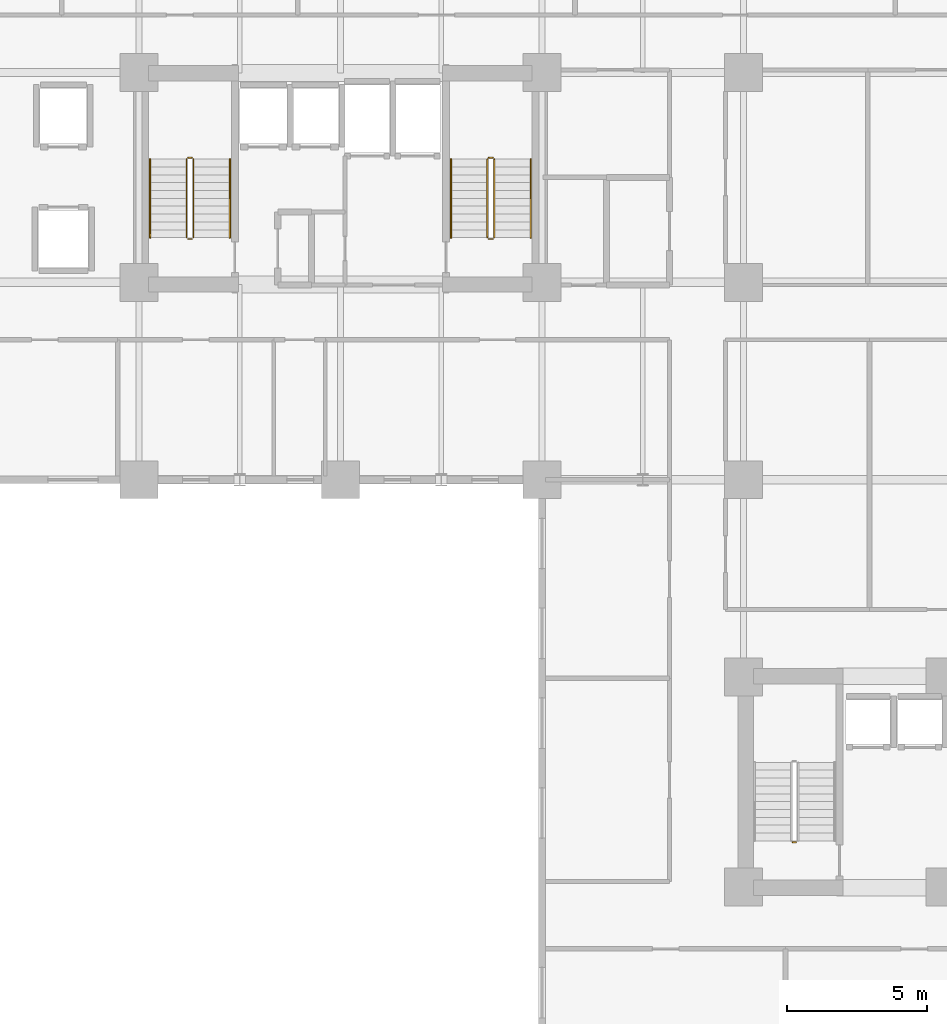
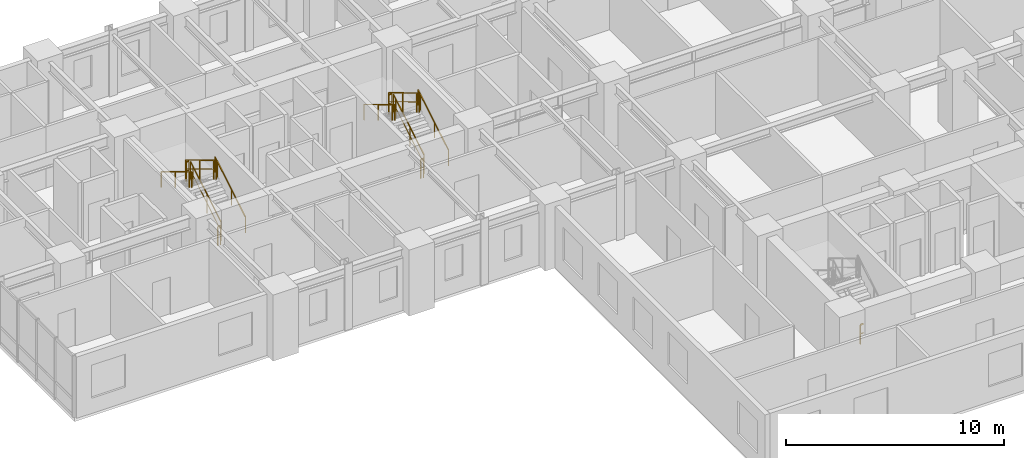
# One storey, part 17 of 19: 13 railings.
"""IFC4 building model written with IfcOpenShell, lengths in metres."""

import ifcopenshell
import ifcopenshell.guid

model = None  # the IFC model being written
_history = None  # IfcOwnerHistory: only IFC2X3 demands one
_inside = {}  # id of a spatial element -> (the spatial element, [elements in it])
_under = {}  # id of a project, library or spatial element -> (it, [spatial elements below it])
_declared = {}  # id of a project -> (the project, [libraries it declares])
_typed = {}  # id of a type object -> (the type object, [elements of that type])
_made_of = {}  # id of a material, layer set ... -> (it, [elements and type objects made of it])


def new_model(schema):
    """Start an empty IFC model of exactly this schema.

    Asked for "IFC4X3", IfcOpenShell would pick the latest addendum, in which some entities
    have other attributes; the version numbers below select the first issue.
    IFC2X3 requires an IfcOwnerHistory on every rooted entity: one is made here for all.
    """
    global model, _history
    if schema == "IFC4X3":
        model = ifcopenshell.file(schema_version=(4, 3, 0, 0))
    else:
        model = ifcopenshell.file(schema=schema)
    _inside.clear()
    _under.clear()
    _declared.clear()
    _typed.clear()
    _made_of.clear()
    _history = None
    if model.schema == "IFC2X3":
        org = make("IfcOrganization", Name="unknown")
        user = make(
            "IfcPersonAndOrganization",
            ThePerson=make("IfcPerson", FamilyName="unknown"),
            TheOrganization=org,
        )
        app = make(
            "IfcApplication",
            ApplicationDeveloper=org,
            Version="unknown",
            ApplicationFullName="unknown",
            ApplicationIdentifier="unknown",
        )
        _history = make(
            "IfcOwnerHistory",
            OwningUser=user,
            OwningApplication=app,
            ChangeAction="ADDED",
            CreationDate=0,
        )
    return model


def make(cls, **values):
    """One entity of the class cls with the attributes given. An attribute that is None is left unset."""
    return model.create_entity(
        cls, **{name: value for name, value in values.items() if value is not None}
    )


def rooted(cls, **values):
    """An entity with a GlobalId (a new one), such as an element, a storey or a relation."""
    return make(cls, GlobalId=ifcopenshell.guid.new(), OwnerHistory=_history, **values)


def si_unit(unit_type, name, prefix=None):
    """IfcSIUnit, for example si_unit("LENGTHUNIT", "METRE", prefix="MILLI")."""
    return make("IfcSIUnit", UnitType=unit_type, Prefix=prefix, Name=name)


def assignment(units):
    """IfcUnitAssignment: the units of a project."""
    return None if units is None else make("IfcUnitAssignment", Units=units)


def point(xyz):
    """IfcCartesianPoint."""
    return None if xyz is None else make("IfcCartesianPoint", Coordinates=xyz)


def direction(xyz):
    """IfcDirection."""
    return None if xyz is None else make("IfcDirection", DirectionRatios=xyz)


def frame(location, z_axis=None, x_axis=None):
    """IfcAxis2Placement3D, a coordinate frame: its origin and axes. An axis left out is left unset."""
    return make(
        "IfcAxis2Placement3D",
        Location=point(location),
        Axis=direction(z_axis),
        RefDirection=direction(x_axis),
    )


def frame_2d(location, x_axis=None):
    """IfcAxis2Placement2D, a coordinate frame in the plane: its origin and x axis."""
    return make(
        "IfcAxis2Placement2D", Location=point(location), RefDirection=direction(x_axis)
    )


def origin():
    """The frame at (0, 0, 0) with its axes left unset."""
    return frame((0.0, 0.0, 0.0))


def origin_2d():
    """The frame at (0, 0) in the plane with its x axis left unset."""
    return frame_2d((0.0, 0.0))


def place(relative_to, where):
    """IfcLocalPlacement: puts the frame where relative to a parent placement (None: the world)."""
    return make(
        "IfcLocalPlacement", PlacementRelTo=relative_to, RelativePlacement=where
    )


def context(
    kind, dimensions, precision=None, world=None, true_north=None, identifier=None
):
    """IfcGeometricRepresentationContext, for example the 3D "Model" context."""
    return make(
        "IfcGeometricRepresentationContext",
        ContextIdentifier=identifier,
        ContextType=kind,
        CoordinateSpaceDimension=dimensions,
        Precision=precision,
        WorldCoordinateSystem=world,
        TrueNorth=true_north,
    )


def subcontext(parent, identifier, kind, view, scale=None):
    """IfcGeometricRepresentationSubContext, for example "Body" below "Model"."""
    return make(
        "IfcGeometricRepresentationSubContext",
        ContextIdentifier=identifier,
        ContextType=kind,
        ParentContext=parent,
        TargetScale=scale,
        TargetView=view,
    )


def project(units=None, contexts=None):
    """IfcProject with its units and contexts."""
    return rooted(
        "IfcProject",
        Name="project",
        RepresentationContexts=contexts,
        UnitsInContext=assignment(units),
    )


def spatial(cls, under=None, at=None, **own):
    """A site, building, storey or space (cls), placed at a placement, below another one or the project."""
    s = rooted(cls, ObjectPlacement=at, **own)
    if under is not None:
        _under.setdefault(under.id(), (under, []))[1].append(s)
    return s


def profile(cls, at=None, kind="AREA", **sizes):
    """A parametric profile (cls). Its sizes go by their IFC names, for example OverallWidth=200.0."""
    return make(cls, ProfileType=kind, Position=at, **sizes)


def rectangle(**sizes):
    """IfcRectangleProfileDef."""
    return profile("IfcRectangleProfileDef", **sizes)


def extrude(swept, where, along, depth):
    """IfcExtrudedAreaSolid: the profile swept, set in the frame where, extruded along a direction by depth."""
    return make(
        "IfcExtrudedAreaSolid",
        SweptArea=swept,
        Position=where,
        ExtrudedDirection=direction(along),
        Depth=depth,
    )


def shape(context_of_items, identifier, shape_type, items):
    """IfcShapeRepresentation: the items that make up one representation, for example the "Body"."""
    return make(
        "IfcShapeRepresentation",
        ContextOfItems=context_of_items,
        RepresentationIdentifier=identifier,
        RepresentationType=shape_type,
        Items=items,
    )


def material(Name=None, Category=None):
    """IfcMaterial."""
    return make("IfcMaterial", Name=Name, Category=Category)


def made_of(thing, what):
    """Note that an element or type object is made of a material, layer set ...; save() writes the relation."""
    if what is not None:
        _made_of.setdefault(what.id(), (what, []))[1].append(thing)
    return thing


def type_object(cls, material=None, **own):
    """A type object (cls), such as IfcWallType, which elements share."""
    return made_of(rooted(cls, **own), material)


def element(
    cls,
    number,
    at=None,
    inside=None,
    cuts=None,
    type_object=None,
    material=None,
    context=None,
    identifier="Body",
    shape_type=None,
    held_by="IfcProductDefinitionShape",
    body=None,
    shapes=None,
    **own,
):
    """One element of the class cls, such as IfcWall. Its Tag is "e" and its number.

    at: its placement. inside: the storey or other place that contains it. cuts: it is an
    opening in that element (IfcRelVoidsElement). A single representation is given by context,
    identifier, shape_type and body (its items); several are given by shapes. held_by: the class
    of the entity that holds the representations. save() writes the other relations.
    """
    e = rooted(cls, Tag="e%d" % number, ObjectPlacement=at, **own)
    if body is not None:
        shapes = [shape(context, identifier, shape_type, body)]
    if shapes is not None:
        e.Representation = make(held_by, Representations=shapes)
    if inside is not None:
        _inside.setdefault(inside.id(), (inside, []))[1].append(e)
    if cuts is not None:
        rooted(
            "IfcRelVoidsElement", RelatingBuildingElement=cuts, RelatedOpeningElement=e
        )
    if type_object is not None:
        _typed.setdefault(type_object.id(), (type_object, []))[1].append(e)
    return made_of(e, material)


def aggregate(whole, parts):
    """IfcRelAggregates: a whole, such as a stair, and the parts it consists of."""
    return rooted("IfcRelAggregates", RelatingObject=whole, RelatedObjects=parts)


def save(model, path):
    """Write the relations noted so far, then the file.

    IfcRelAggregates (storeys below a building ...), IfcRelContainedInSpatialStructure (elements
    in a storey), IfcRelDefinesByType, IfcRelAssociatesMaterial and IfcRelDeclares: one each for
    every whole, place, type object, material and project.
    """
    for whole, parts in _under.values():
        aggregate(whole, parts)
    for where, things in _inside.values():
        rooted(
            "IfcRelContainedInSpatialStructure",
            RelatedElements=things,
            RelatingStructure=where,
        )
    for kind, things in _typed.values():
        rooted("IfcRelDefinesByType", RelatedObjects=things, RelatingType=kind)
    for what, things in _made_of.values():
        rooted("IfcRelAssociatesMaterial", RelatedObjects=things, RelatingMaterial=what)
    for by, libraries in _declared.values():
        rooted("IfcRelDeclares", RelatingContext=by, RelatedDefinitions=libraries)
    model.write(path)


model = new_model("IFC4")

# Units and contexts
model_context = context("Model", 3, precision=1e-05, world=origin(), true_north=direction((0.0, 1.0)))
body_context = subcontext(model_context, "Body", "Model", "MODEL_VIEW")
ifc_project = project(units=[si_unit("LENGTHUNIT", "METRE"), si_unit("AREAUNIT", "SQUARE_METRE"), si_unit("VOLUMEUNIT", "CUBIC_METRE"), si_unit("PLANEANGLEUNIT", "RADIAN"), si_unit("MASSUNIT", "GRAM", prefix="KILO")], contexts=[model_context])

# Site, building, storey
site_placement = place(None, origin())
site = spatial("IfcSite", under=ifc_project, at=site_placement, CompositionType="ELEMENT")
building_placement = place(site_placement, origin())
building = spatial("IfcBuilding", under=site, at=building_placement, Name="Kaliganga Portal Commons", CompositionType="ELEMENT")
storey_placement = place(building_placement, frame((0.0, 0.0, 47.5)))
storey = spatial("IfcBuildingStorey", under=building, at=storey_placement, Name="L11", CompositionType="ELEMENT", Elevation=47.5)

# Railings
ifc_material_1 = material(Name="Galvanized Painted Steel Balustrade", Category="steel")
railing_type_1 = type_object("IfcRailingType", Name="RLG-STAIR-GRD", PredefinedType="GUARDRAIL", material=ifc_material_1)
railing_1_placement = place(storey_placement, frame((16.35009765625, 30.25, 0.168212890625)))
element("IfcRailing", 1, at=railing_1_placement, inside=storey, type_object=railing_type_1, Name="L11 ST-A1 stair guard 1", PredefinedType="GUARDRAIL", context=body_context, shape_type="SweptSolid", body=[
    extrude(rectangle(XDim=0.048095703125, YDim=0.048095703125, at=origin_2d()), frame((0.0, 0.0, 1.072021484375), z_axis=(0.0, 0.857242210791, 0.514913383045), x_axis=(-1.0, 0.0, 0.0)), (0.0, 0.0, 1.0), 3.266357421875),
    extrude(rectangle(XDim=0.028076171875, YDim=0.028076171875, at=origin_2d()), frame((0.0, 0.0, 0.572021484375), z_axis=(0.0, 0.857242210791, 0.514913383045), x_axis=(-1.0, 0.0, 0.0)), (0.0, 0.0, 1.0), 3.266357421875),
    extrude(rectangle(XDim=0.0419921875, YDim=0.0419921875, at=origin_2d()), origin(), (0.0, 0.0, 1.0), 1.052001953125),
    extrude(rectangle(XDim=0.0419921875, YDim=0.0419921875, at=origin_2d()), frame((0.0, 1.285888671875, 0.7724609375)), (0.0, 0.0, 1.0), 1.052001953125),
    extrude(rectangle(XDim=0.0419921875, YDim=0.0419921875, at=origin_2d()), frame((0.0, 2.57177734375, 1.544677734375)), (0.0, 0.0, 1.0), 1.052001953125),
    extrude(rectangle(XDim=0.0419921875, YDim=0.0419921875, at=origin_2d()), frame((0.0, 2.800048828125, 1.681884765625)), (0.0, 0.0, 1.0), 1.052001953125),
])
railing_2_placement = place(storey_placement, frame((16.300048828125, 33.10009765625, 1.85009765625)))
element("IfcRailing", 2, at=railing_2_placement, inside=storey, type_object=railing_type_1, Name="L11 ST-A1 stair guard 2", PredefinedType="GUARDRAIL", context=body_context, shape_type="SweptSolid", body=[
    extrude(rectangle(XDim=0.048095703125, YDim=0.048095703125, at=origin_2d()), frame((0.0, 0.0, 1.076171875), z_axis=(-1.0, 0.0, 0.0), x_axis=(0.0, -1.0, 0.0)), (0.0, 0.0, 1.0), 0.150146484375),
    extrude(rectangle(XDim=0.028076171875, YDim=0.028076171875, at=origin_2d()), frame((0.0, 0.0, 0.572021484375), z_axis=(-1.0, 0.0, 0.0), x_axis=(0.0, -1.0, 0.0)), (0.0, 0.0, 1.0), 0.150146484375),
    extrude(rectangle(XDim=0.0419921875, YDim=0.0419921875, at=origin_2d()), origin(), (0.0, 0.0, 1.0), 1.052001953125),
    extrude(rectangle(XDim=0.0419921875, YDim=0.0419921875, at=origin_2d()), frame((-0.150146484375, 0.0, 0.0)), (0.0, 0.0, 1.0), 1.052001953125),
])
railing_3_placement = place(storey_placement, frame((16.10009765625, 33.050048828125, 2.01806640625)))
element("IfcRailing", 3, at=railing_3_placement, inside=storey, type_object=railing_type_1, Name="L11 ST-A1 stair guard 3", PredefinedType="GUARDRAIL", context=body_context, shape_type="SweptSolid", body=[
    extrude(rectangle(XDim=0.048095703125, YDim=0.048095703125, at=origin_2d()), frame((0.0, 0.0, 1.072021484375), z_axis=(0.0, -0.857242210791, 0.514913383045), x_axis=(1.0, 0.0, 0.0)), (0.0, 0.0, 1.0), 3.266357421875),
    extrude(rectangle(XDim=0.028076171875, YDim=0.028076171875, at=origin_2d()), frame((0.0, 0.0, 0.572021484375), z_axis=(0.0, -0.857242210791, 0.514913383045), x_axis=(1.0, 0.0, 0.0)), (0.0, 0.0, 1.0), 3.266357421875),
    extrude(rectangle(XDim=0.0419921875, YDim=0.0419921875, at=origin_2d()), origin(), (0.0, 0.0, 1.0), 1.052001953125),
    extrude(rectangle(XDim=0.0419921875, YDim=0.0419921875, at=origin_2d()), frame((0.0, -1.285888671875, 0.7724609375)), (0.0, 0.0, 1.0), 1.052001953125),
    extrude(rectangle(XDim=0.0419921875, YDim=0.0419921875, at=origin_2d()), frame((0.0, -2.57177734375, 1.544677734375)), (0.0, 0.0, 1.0), 1.052001953125),
    extrude(rectangle(XDim=0.0419921875, YDim=0.0419921875, at=origin_2d()), frame((0.0, -2.800048828125, 1.681884765625)), (0.0, 0.0, 1.0), 1.052001953125),
])
railing_4_placement = place(storey_placement, frame((16.300048828125, 30.199951171875, 0.0)))
element("IfcRailing", 4, at=railing_4_placement, inside=storey, type_object=railing_type_1, Name="L11 ST-A1 stair guard 4", PredefinedType="GUARDRAIL", context=body_context, shape_type="SweptSolid", body=[
    extrude(rectangle(XDim=0.048095703125, YDim=0.048095703125, at=origin_2d()), frame((0.0, 0.0, 1.076171875), z_axis=(-1.0, 0.0, 0.0), x_axis=(0.0, -1.0, 0.0)), (0.0, 0.0, 1.0), 0.150146484375),
    extrude(rectangle(XDim=0.028076171875, YDim=0.028076171875, at=origin_2d()), frame((0.0, 0.0, 0.572021484375), z_axis=(-1.0, 0.0, 0.0), x_axis=(0.0, -1.0, 0.0)), (0.0, 0.0, 1.0), 0.150146484375),
    extrude(rectangle(XDim=0.0419921875, YDim=0.0419921875, at=origin_2d()), origin(), (0.0, 0.0, 1.0), 1.052001953125),
    extrude(rectangle(XDim=0.0419921875, YDim=0.0419921875, at=origin_2d()), frame((-0.150146484375, 0.0, 0.0)), (0.0, 0.0, 1.0), 1.052001953125),
])
railing_5_placement = place(storey_placement, frame((27.10009765625, 30.25, 0.168212890625)))
element("IfcRailing", 5, at=railing_5_placement, inside=storey, type_object=railing_type_1, Name="L11 ST-A2 stair guard 1", PredefinedType="GUARDRAIL", context=body_context, shape_type="SweptSolid", body=[
    extrude(rectangle(XDim=0.048095703125, YDim=0.048095703125, at=origin_2d()), frame((0.0, 0.0, 1.072021484375), z_axis=(0.0, 0.857242210791, 0.514913383045), x_axis=(-1.0, 0.0, 0.0)), (0.0, 0.0, 1.0), 3.266357421875),
    extrude(rectangle(XDim=0.028076171875, YDim=0.028076171875, at=origin_2d()), frame((0.0, 0.0, 0.572021484375), z_axis=(0.0, 0.857242210791, 0.514913383045), x_axis=(-1.0, 0.0, 0.0)), (0.0, 0.0, 1.0), 3.266357421875),
    extrude(rectangle(XDim=0.0419921875, YDim=0.0419921875, at=origin_2d()), origin(), (0.0, 0.0, 1.0), 1.052001953125),
    extrude(rectangle(XDim=0.0419921875, YDim=0.0419921875, at=origin_2d()), frame((0.0, 1.285888671875, 0.7724609375)), (0.0, 0.0, 1.0), 1.052001953125),
    extrude(rectangle(XDim=0.0419921875, YDim=0.0419921875, at=origin_2d()), frame((0.0, 2.57177734375, 1.544677734375)), (0.0, 0.0, 1.0), 1.052001953125),
    extrude(rectangle(XDim=0.0419921875, YDim=0.0419921875, at=origin_2d()), frame((0.0, 2.800048828125, 1.681884765625)), (0.0, 0.0, 1.0), 1.052001953125),
])
railing_6_placement = place(storey_placement, frame((27.050048828125, 33.10009765625, 1.85009765625)))
element("IfcRailing", 6, at=railing_6_placement, inside=storey, type_object=railing_type_1, Name="L11 ST-A2 stair guard 2", PredefinedType="GUARDRAIL", context=body_context, shape_type="SweptSolid", body=[
    extrude(rectangle(XDim=0.048095703125, YDim=0.048095703125, at=origin_2d()), frame((0.0, 0.0, 1.076171875), z_axis=(-1.0, 0.0, 0.0), x_axis=(0.0, -1.0, 0.0)), (0.0, 0.0, 1.0), 0.150146484375),
    extrude(rectangle(XDim=0.028076171875, YDim=0.028076171875, at=origin_2d()), frame((0.0, 0.0, 0.572021484375), z_axis=(-1.0, 0.0, 0.0), x_axis=(0.0, -1.0, 0.0)), (0.0, 0.0, 1.0), 0.150146484375),
    extrude(rectangle(XDim=0.0419921875, YDim=0.0419921875, at=origin_2d()), origin(), (0.0, 0.0, 1.0), 1.052001953125),
    extrude(rectangle(XDim=0.0419921875, YDim=0.0419921875, at=origin_2d()), frame((-0.150146484375, 0.0, 0.0)), (0.0, 0.0, 1.0), 1.052001953125),
])
railing_7_placement = place(storey_placement, frame((26.85009765625, 33.050048828125, 2.01806640625)))
element("IfcRailing", 7, at=railing_7_placement, inside=storey, type_object=railing_type_1, Name="L11 ST-A2 stair guard 3", PredefinedType="GUARDRAIL", context=body_context, shape_type="SweptSolid", body=[
    extrude(rectangle(XDim=0.048095703125, YDim=0.048095703125, at=origin_2d()), frame((0.0, 0.0, 1.072021484375), z_axis=(0.0, -0.857242210791, 0.514913383045), x_axis=(1.0, 0.0, 0.0)), (0.0, 0.0, 1.0), 3.266357421875),
    extrude(rectangle(XDim=0.028076171875, YDim=0.028076171875, at=origin_2d()), frame((0.0, 0.0, 0.572021484375), z_axis=(0.0, -0.857242210791, 0.514913383045), x_axis=(1.0, 0.0, 0.0)), (0.0, 0.0, 1.0), 3.266357421875),
    extrude(rectangle(XDim=0.0419921875, YDim=0.0419921875, at=origin_2d()), origin(), (0.0, 0.0, 1.0), 1.052001953125),
    extrude(rectangle(XDim=0.0419921875, YDim=0.0419921875, at=origin_2d()), frame((0.0, -1.285888671875, 0.7724609375)), (0.0, 0.0, 1.0), 1.052001953125),
    extrude(rectangle(XDim=0.0419921875, YDim=0.0419921875, at=origin_2d()), frame((0.0, -2.57177734375, 1.544677734375)), (0.0, 0.0, 1.0), 1.052001953125),
    extrude(rectangle(XDim=0.0419921875, YDim=0.0419921875, at=origin_2d()), frame((0.0, -2.800048828125, 1.681884765625)), (0.0, 0.0, 1.0), 1.052001953125),
])
railing_8_placement = place(storey_placement, frame((27.050048828125, 30.199951171875, 0.0)))
element("IfcRailing", 8, at=railing_8_placement, inside=storey, type_object=railing_type_1, Name="L11 ST-A2 stair guard 4", PredefinedType="GUARDRAIL", context=body_context, shape_type="SweptSolid", body=[
    extrude(rectangle(XDim=0.048095703125, YDim=0.048095703125, at=origin_2d()), frame((0.0, 0.0, 1.076171875), z_axis=(-1.0, 0.0, 0.0), x_axis=(0.0, -1.0, 0.0)), (0.0, 0.0, 1.0), 0.150146484375),
    extrude(rectangle(XDim=0.028076171875, YDim=0.028076171875, at=origin_2d()), frame((0.0, 0.0, 0.572021484375), z_axis=(-1.0, 0.0, 0.0), x_axis=(0.0, -1.0, 0.0)), (0.0, 0.0, 1.0), 0.150146484375),
    extrude(rectangle(XDim=0.0419921875, YDim=0.0419921875, at=origin_2d()), origin(), (0.0, 0.0, 1.0), 1.052001953125),
    extrude(rectangle(XDim=0.0419921875, YDim=0.0419921875, at=origin_2d()), frame((-0.150146484375, 0.0, 0.0)), (0.0, 0.0, 1.0), 1.052001953125),
])
railing_9_placement = place(storey_placement, frame((37.89990234375, 8.64990234375, 0.0)))
element("IfcRailing", 9, at=railing_9_placement, inside=storey, type_object=railing_type_1, Name="L11 ST-B1 stair guard 4", PredefinedType="GUARDRAIL", context=body_context, shape_type="SweptSolid", body=[
    extrude(rectangle(XDim=0.048095703125, YDim=0.048095703125, at=origin_2d()), frame((0.0, 0.0, 1.076171875), z_axis=(-1.0, 0.0, 0.0), x_axis=(0.0, -1.0, 0.0)), (0.0, 0.0, 1.0), 0.14990234375),
    extrude(rectangle(XDim=0.028076171875, YDim=0.028076171875, at=origin_2d()), frame((0.0, 0.0, 0.572021484375), z_axis=(-1.0, 0.0, 0.0), x_axis=(0.0, -1.0, 0.0)), (0.0, 0.0, 1.0), 0.14990234375),
    extrude(rectangle(XDim=0.0419921875, YDim=0.0419921875, at=origin_2d()), frame((-0.14990234375, 0.0, 0.0)), (0.0, 0.0, 1.0), 1.052001953125),
])
ifc_material_2 = material(Name="Brushed Stainless Steel 316", Category="steel")
railing_type_2 = type_object("IfcRailingType", Name="RLG-STAIR-HR", PredefinedType="HANDRAIL", material=ifc_material_2)
railing_10_placement = place(storey_placement, frame((17.64990234375, 30.25, 0.168212890625)))
element("IfcRailing", 10, at=railing_10_placement, inside=storey, type_object=railing_type_2, Name="L11 ST-A1 stair handrail 1", PredefinedType="HANDRAIL", context=body_context, shape_type="SweptSolid", body=[
    extrude(rectangle(XDim=0.048095703125, YDim=0.048095703125, at=origin_2d()), frame((0.0, 0.0, 0.871826171875), z_axis=(0.0, 0.857242210791, 0.514913383045), x_axis=(-1.0, 0.0, 0.0)), (0.0, 0.0, 1.0), 3.266357421875),
    extrude(rectangle(XDim=0.0419921875, YDim=0.0419921875, at=origin_2d()), origin(), (0.0, 0.0, 1.0), 0.851806640625),
    extrude(rectangle(XDim=0.0419921875, YDim=0.0419921875, at=origin_2d()), frame((0.0, 1.285888671875, 0.7724609375)), (0.0, 0.0, 1.0), 0.851806640625),
    extrude(rectangle(XDim=0.0419921875, YDim=0.0419921875, at=origin_2d()), frame((0.0, 2.57177734375, 1.544677734375)), (0.0, 0.0, 1.0), 0.851806640625),
    extrude(rectangle(XDim=0.0419921875, YDim=0.0419921875, at=origin_2d()), frame((0.0, 2.800048828125, 1.681884765625)), (0.0, 0.0, 1.0), 0.851806640625),
])
railing_11_placement = place(storey_placement, frame((14.800048828125, 33.050048828125, 2.01806640625)))
element("IfcRailing", 11, at=railing_11_placement, inside=storey, type_object=railing_type_2, Name="L11 ST-A1 stair handrail 2", PredefinedType="HANDRAIL", context=body_context, shape_type="SweptSolid", body=[
    extrude(rectangle(XDim=0.048095703125, YDim=0.048095703125, at=origin_2d()), frame((0.0, 0.0, 0.871826171875), z_axis=(0.0, -0.857242210791, 0.514913383045), x_axis=(1.0, 0.0, 0.0)), (0.0, 0.0, 1.0), 3.266357421875),
    extrude(rectangle(XDim=0.0419921875, YDim=0.0419921875, at=origin_2d()), origin(), (0.0, 0.0, 1.0), 0.851806640625),
    extrude(rectangle(XDim=0.0419921875, YDim=0.0419921875, at=origin_2d()), frame((0.0, -1.285888671875, 0.7724609375)), (0.0, 0.0, 1.0), 0.851806640625),
    extrude(rectangle(XDim=0.0419921875, YDim=0.0419921875, at=origin_2d()), frame((0.0, -2.57177734375, 1.544677734375)), (0.0, 0.0, 1.0), 0.851806640625),
    extrude(rectangle(XDim=0.0419921875, YDim=0.0419921875, at=origin_2d()), frame((0.0, -2.800048828125, 1.681884765625)), (0.0, 0.0, 1.0), 0.851806640625),
])
railing_12_placement = place(storey_placement, frame((28.39990234375, 30.25, 0.168212890625)))
element("IfcRailing", 12, at=railing_12_placement, inside=storey, type_object=railing_type_2, Name="L11 ST-A2 stair handrail 1", PredefinedType="HANDRAIL", context=body_context, shape_type="SweptSolid", body=[
    extrude(rectangle(XDim=0.048095703125, YDim=0.048095703125, at=origin_2d()), frame((0.0, 0.0, 0.871826171875), z_axis=(0.0, 0.857242210791, 0.514913383045), x_axis=(-1.0, 0.0, 0.0)), (0.0, 0.0, 1.0), 3.266357421875),
    extrude(rectangle(XDim=0.0419921875, YDim=0.0419921875, at=origin_2d()), origin(), (0.0, 0.0, 1.0), 0.851806640625),
    extrude(rectangle(XDim=0.0419921875, YDim=0.0419921875, at=origin_2d()), frame((0.0, 1.285888671875, 0.7724609375)), (0.0, 0.0, 1.0), 0.851806640625),
    extrude(rectangle(XDim=0.0419921875, YDim=0.0419921875, at=origin_2d()), frame((0.0, 2.57177734375, 1.544677734375)), (0.0, 0.0, 1.0), 0.851806640625),
    extrude(rectangle(XDim=0.0419921875, YDim=0.0419921875, at=origin_2d()), frame((0.0, 2.800048828125, 1.681884765625)), (0.0, 0.0, 1.0), 0.851806640625),
])
railing_13_placement = place(storey_placement, frame((25.550048828125, 33.050048828125, 2.01806640625)))
element("IfcRailing", 13, at=railing_13_placement, inside=storey, type_object=railing_type_2, Name="L11 ST-A2 stair handrail 2", PredefinedType="HANDRAIL", context=body_context, shape_type="SweptSolid", body=[
    extrude(rectangle(XDim=0.048095703125, YDim=0.048095703125, at=origin_2d()), frame((0.0, 0.0, 0.871826171875), z_axis=(0.0, -0.857242210791, 0.514913383045), x_axis=(1.0, 0.0, 0.0)), (0.0, 0.0, 1.0), 3.266357421875),
    extrude(rectangle(XDim=0.0419921875, YDim=0.0419921875, at=origin_2d()), origin(), (0.0, 0.0, 1.0), 0.851806640625),
    extrude(rectangle(XDim=0.0419921875, YDim=0.0419921875, at=origin_2d()), frame((0.0, -1.285888671875, 0.7724609375)), (0.0, 0.0, 1.0), 0.851806640625),
    extrude(rectangle(XDim=0.0419921875, YDim=0.0419921875, at=origin_2d()), frame((0.0, -2.57177734375, 1.544677734375)), (0.0, 0.0, 1.0), 0.851806640625),
    extrude(rectangle(XDim=0.0419921875, YDim=0.0419921875, at=origin_2d()), frame((0.0, -2.800048828125, 1.681884765625)), (0.0, 0.0, 1.0), 0.851806640625),
])

save(model, "model.ifc")
